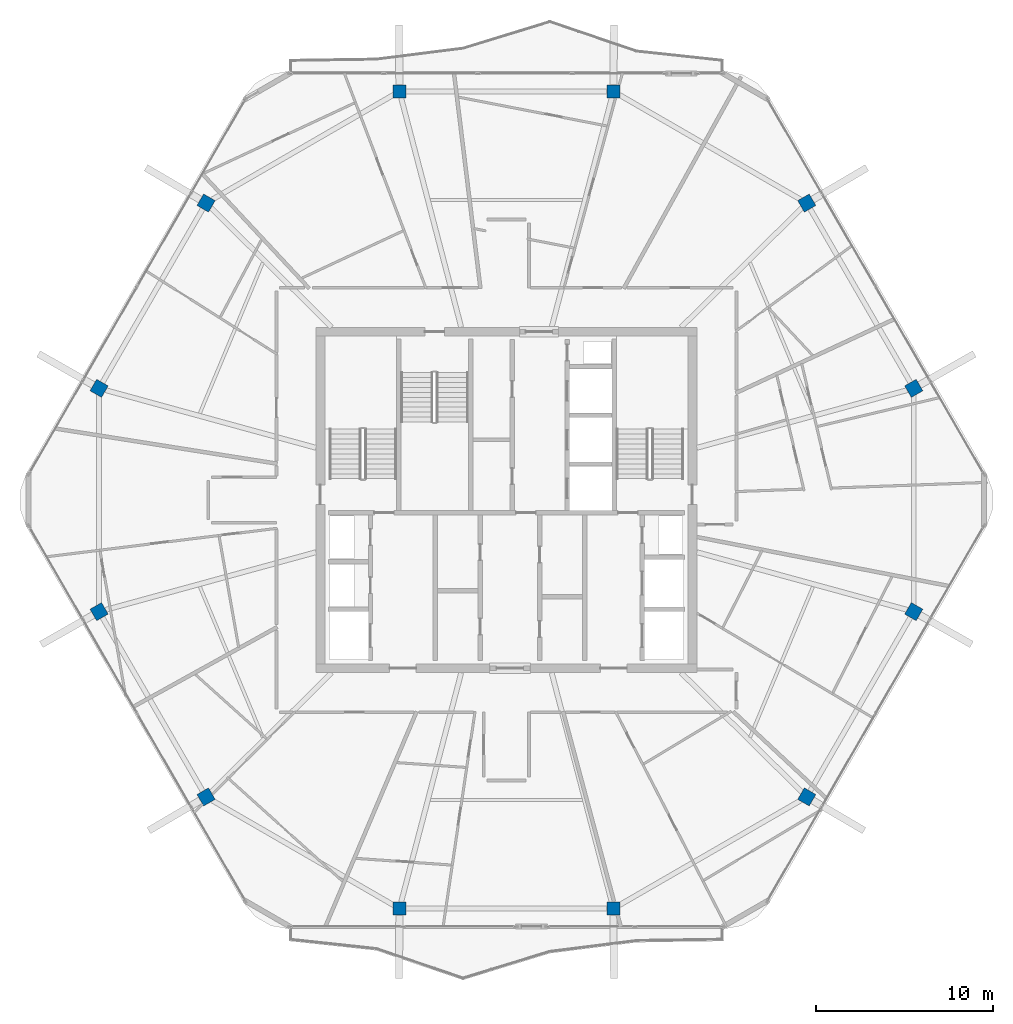
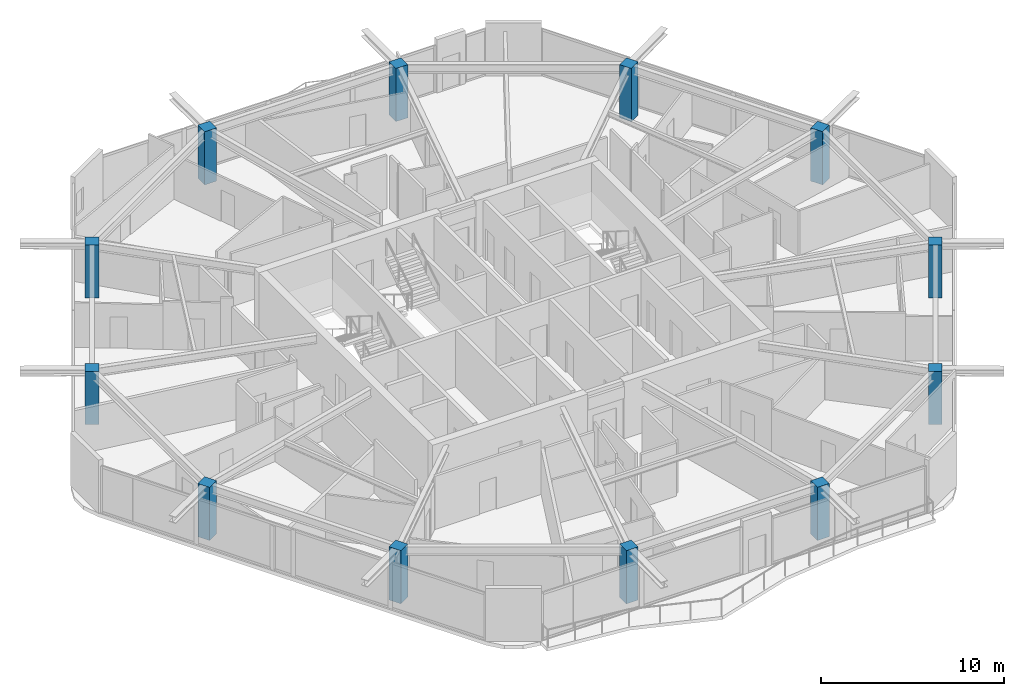
# One storey, part 1 of 21: 12 columns.
"""IFC4 building model written with IfcOpenShell, lengths in metres."""

from ifc_helpers import new_model, si_unit, direction, frame, origin, origin_2d, place, context, subcontext, project, spatial, rectangle, extrude, material, material_profile, profile_set, type_object, element, save


model = new_model("IFC4")

# Units and contexts
model_context = context("Model", 3, precision=1e-05, world=origin(), true_north=direction((0.0, 1.0)))
body_context = subcontext(model_context, "Body", "Model", "MODEL_VIEW")
ifc_project = project(units=[si_unit("LENGTHUNIT", "METRE"), si_unit("AREAUNIT", "SQUARE_METRE"), si_unit("VOLUMEUNIT", "CUBIC_METRE"), si_unit("PLANEANGLEUNIT", "RADIAN"), si_unit("MASSUNIT", "GRAM", prefix="KILO")], contexts=[model_context])

# Site, building, storey
site_placement = place(None, origin())
site = spatial("IfcSite", under=ifc_project, at=site_placement, CompositionType="ELEMENT")
building_placement = place(site_placement, origin())
building = spatial("IfcBuilding", under=site, at=building_placement, Name="Zuhravey Tower", CompositionType="ELEMENT")
storey_placement = place(building_placement, frame((0.0, 0.0, 334.800048828125)))
storey = spatial("IfcBuildingStorey", under=building, at=storey_placement, Name="L85", CompositionType="ELEMENT", Elevation=334.800048828125)

# Columns
ifc_material = material(Name="Concrete C50/60", Category="concrete")
ifc_material_profile = material_profile(ifc_material, rectangle(XDim=0.75, YDim=0.75, at=origin_2d()), Name="RC-750x750")
ifc_profile_set = profile_set([ifc_material_profile], Name="Concrete C50/60")
column_type = type_object("IfcColumnType", Name="Zone 4 Upper Column 750x750", PredefinedType="COLUMN", material=ifc_profile_set)
for number, where, z_axis, x_axis, name in (
    (1, (58.993408203125, 38.302490234375, 0.0), (0.0, 0.0, 1.0), (-0.5, 0.866025403784, 0.0), "L85 Perimeter Column PC01"),
    (2, (52.95458984375, 48.76171875, 0.0), (0.0, 0.0, 1.0), (-0.5, 0.866025403784, 0.0), "L85 Perimeter Column PC02"),
    (3, (42.038818359375, 55.064208984375, 0.0), (0.0, 0.0, 1.0), (-1.0, 0.0, 0.0), "L85 Perimeter Column PC03"),
    (4, (29.961181640625, 55.064208984375, 0.0), (0.0, 0.0, 1.0), (-1.0, 0.0, 0.0), "L85 Perimeter Column PC04"),
    (5, (19.04541015625, 48.76171875, 0.0), (0.0, 0.0, 1.0), (-0.5, -0.866025403784, 0.0), "L85 Perimeter Column PC05"),
    (6, (13.006591796875, 38.302490234375, 0.0), (0.0, 0.0, 1.0), (-0.5, -0.866025403784, 0.0), "L85 Perimeter Column PC06"),
    (7, (13.006591796875, 25.697509765625, 0.0), (0.0, 0.0, 1.0), (0.5, -0.866025403784, 0.0), "L85 Perimeter Column PC07"),
    (8, (19.04541015625, 15.23828125, 0.0), (0.0, 0.0, 1.0), (0.5, -0.866025403784, 0.0), "L85 Perimeter Column PC08"),
    (9, (29.961181640625, 8.935791015625, 0.0), (0.0, 0.0, 1.0), (1.0, 0.0, 0.0), "L85 Perimeter Column PC09"),
    (10, (42.038818359375, 8.935791015625, 0.0), (0.0, 0.0, 1.0), (1.0, 0.0, 0.0), "L85 Perimeter Column PC10"),
    (11, (52.95458984375, 15.23828125, 0.0), (0.0, 0.0, 1.0), (0.5, 0.866025403784, 0.0), "L85 Perimeter Column PC11"),
    (12, (58.993408203125, 25.697509765625, 0.0), (0.0, 0.0, 1.0), (0.5, 0.866025403784, 0.0), "L85 Perimeter Column PC12"),
):
    element("IfcColumn", number, at=place(storey_placement, frame(where, z_axis=z_axis, x_axis=x_axis)), inside=storey, type_object=column_type, Name=name, PredefinedType="COLUMN", context=body_context, shape_type="SweptSolid", body=[
        extrude(rectangle(XDim=0.75, YDim=0.75, at=origin_2d()), origin(), (0.0, 0.0, 1.0), 3.550048828125),
    ])

save(model, "model.ifc")
